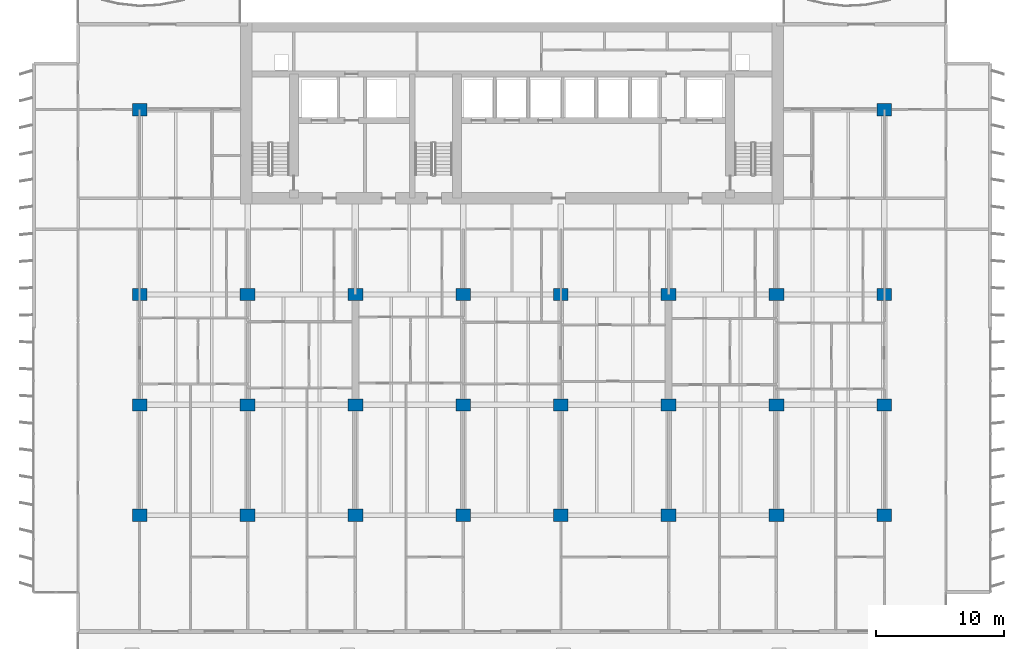
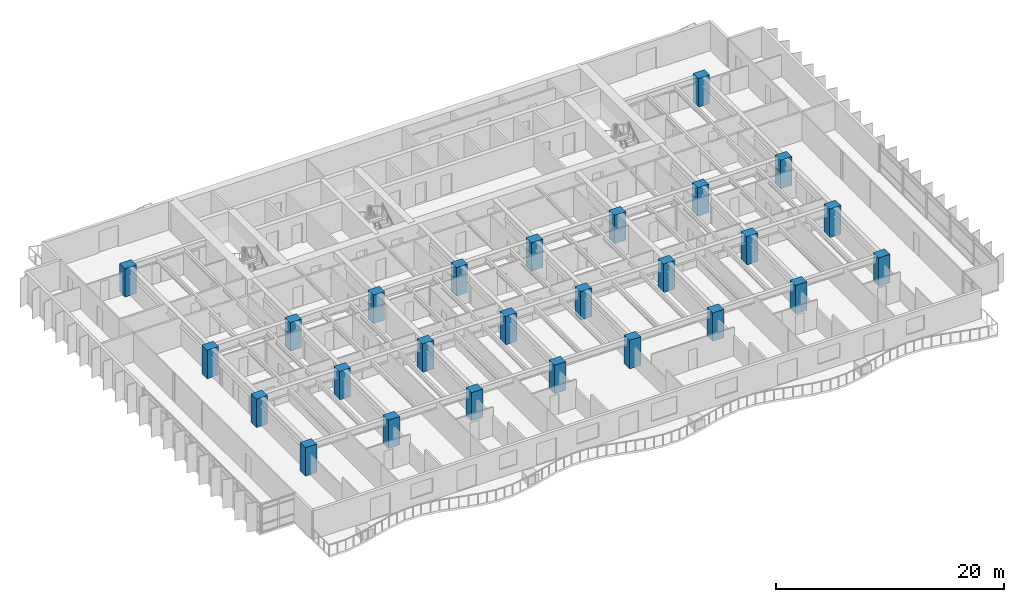
# One storey, part 1 of 18: 26 columns.
"""IFC4 building model written with IfcOpenShell, lengths in metres."""

from ifc_helpers import new_model, si_unit, direction, frame, origin, origin_2d, place, context, subcontext, project, spatial, rectangle, extrude, material, material_profile, profile_set, type_object, element, save


model = new_model("IFC4")

# Units and contexts
model_context = context("Model", 3, precision=1e-05, world=origin(), true_north=direction((0.0, 1.0)))
body_context = subcontext(model_context, "Body", "Model", "MODEL_VIEW")
ifc_project = project(units=[si_unit("LENGTHUNIT", "METRE"), si_unit("AREAUNIT", "SQUARE_METRE"), si_unit("VOLUMEUNIT", "CUBIC_METRE"), si_unit("PLANEANGLEUNIT", "RADIAN"), si_unit("MASSUNIT", "GRAM", prefix="KILO")], contexts=[model_context])

# Site, building, storey
site_placement = place(None, origin())
site = spatial("IfcSite", under=ifc_project, at=site_placement, CompositionType="ELEMENT")
building_placement = place(site_placement, origin())
building = spatial("IfcBuilding", under=site, at=building_placement, Name="Caelmar Bay Residences", CompositionType="ELEMENT")
storey_placement = place(building_placement, frame((0.0, 0.0, 36.60009765625)))
storey = spatial("IfcBuildingStorey", under=building, at=storey_placement, Name="L08", CompositionType="ELEMENT", Elevation=36.60009765625)

# Columns
ifc_material = material(Name="Concrete f'c 70 MPa (10,000 psi)", Category="concrete")
ifc_material_profile = material_profile(ifc_material, rectangle(XDim=1.14990234375, YDim=0.949951171875, at=origin_2d()), Name="RC-COL-1150X950")
ifc_profile_set = profile_set([ifc_material_profile], Name="Concrete f'c 70 MPa (10,000 psi)")
column_type = type_object("IfcColumnType", Name="COL-RC-1150X950", PredefinedType="COLUMN", material=ifc_profile_set)
for number, where, z_axis, x_axis, name in (
    (1, (9.89990234375, 12.199951171875, 0.0), (0.0, 0.0, 1.0), (1.0, 0.0, 0.0), "L08 Column (9.90,12.20)"),
    (2, (18.300048828125, 12.199951171875, 0.0), (0.0, 0.0, 1.0), (1.0, 0.0, 0.0), "L08 Column (18.30,12.20)"),
    (3, (26.699951171875, 12.199951171875, 0.0), (0.0, 0.0, 1.0), (1.0, 0.0, 0.0), "L08 Column (26.70,12.20)"),
    (4, (35.10009765625, 12.199951171875, 0.0), (0.0, 0.0, 1.0), (1.0, 0.0, 0.0), "L08 Column (35.10,12.20)"),
    (5, (42.699951171875, 12.199951171875, 0.0), (0.0, 0.0, 1.0), (1.0, 0.0, 0.0), "L08 Column (42.70,12.20)"),
    (6, (51.10009765625, 12.199951171875, 0.0), (0.0, 0.0, 1.0), (1.0, 0.0, 0.0), "L08 Column (51.10,12.20)"),
    (7, (59.5, 12.199951171875, 0.0), (0.0, 0.0, 1.0), (1.0, 0.0, 0.0), "L08 Column (59.50,12.20)"),
    (8, (67.89990234375, 12.199951171875, 0.0), (0.0, 0.0, 1.0), (1.0, 0.0, 0.0), "L08 Column (67.90,12.20)"),
    (9, (9.89990234375, 20.800048828125, 0.0), (0.0, 0.0, 1.0), (1.0, 0.0, 0.0), "L08 Column (9.90,20.80)"),
    (10, (18.300048828125, 20.800048828125, 0.0), (0.0, 0.0, 1.0), (1.0, 0.0, 0.0), "L08 Column (18.30,20.80)"),
    (11, (26.699951171875, 20.800048828125, 0.0), (0.0, 0.0, 1.0), (1.0, 0.0, 0.0), "L08 Column (26.70,20.80)"),
    (12, (35.10009765625, 20.800048828125, 0.0), (0.0, 0.0, 1.0), (1.0, 0.0, 0.0), "L08 Column (35.10,20.80)"),
    (13, (42.699951171875, 20.800048828125, 0.0), (0.0, 0.0, 1.0), (1.0, 0.0, 0.0), "L08 Column (42.70,20.80)"),
    (14, (51.10009765625, 20.800048828125, 0.0), (0.0, 0.0, 1.0), (1.0, 0.0, 0.0), "L08 Column (51.10,20.80)"),
    (15, (59.5, 20.800048828125, 0.0), (0.0, 0.0, 1.0), (1.0, 0.0, 0.0), "L08 Column (59.50,20.80)"),
    (16, (67.89990234375, 20.800048828125, 0.0), (0.0, 0.0, 1.0), (1.0, 0.0, 0.0), "L08 Column (67.90,20.80)"),
    (17, (9.89990234375, 29.39990234375, 0.0), (0.0, 0.0, 1.0), (1.0, 0.0, 0.0), "L08 Column (9.90,29.40)"),
    (18, (18.300048828125, 29.39990234375, 0.0), (0.0, 0.0, 1.0), (1.0, 0.0, 0.0), "L08 Column (18.30,29.40)"),
    (19, (26.699951171875, 29.39990234375, 0.0), (0.0, 0.0, 1.0), (1.0, 0.0, 0.0), "L08 Column (26.70,29.40)"),
    (20, (35.10009765625, 29.39990234375, 0.0), (0.0, 0.0, 1.0), (1.0, 0.0, 0.0), "L08 Column (35.10,29.40)"),
    (21, (42.699951171875, 29.39990234375, 0.0), (0.0, 0.0, 1.0), (1.0, 0.0, 0.0), "L08 Column (42.70,29.40)"),
    (22, (51.10009765625, 29.39990234375, 0.0), (0.0, 0.0, 1.0), (1.0, 0.0, 0.0), "L08 Column (51.10,29.40)"),
    (23, (59.5, 29.39990234375, 0.0), (0.0, 0.0, 1.0), (1.0, 0.0, 0.0), "L08 Column (59.50,29.40)"),
    (24, (67.89990234375, 29.39990234375, 0.0), (0.0, 0.0, 1.0), (1.0, 0.0, 0.0), "L08 Column (67.90,29.40)"),
    (25, (9.89990234375, 43.800048828125, 0.0), (0.0, 0.0, 1.0), (1.0, 0.0, 0.0), "L08 Column (9.90,43.80)"),
    (26, (67.89990234375, 43.800048828125, 0.0), (0.0, 0.0, 1.0), (1.0, 0.0, 0.0), "L08 Column (67.90,43.80)"),
):
    element("IfcColumn", number, at=place(storey_placement, frame(where, z_axis=z_axis, x_axis=x_axis)), inside=storey, type_object=column_type, Name=name, PredefinedType="COLUMN", context=body_context, shape_type="SweptSolid", body=[
        extrude(rectangle(XDim=1.14990234375, YDim=0.949951171875, at=origin_2d()), origin(), (0.0, 0.0, 1.0), 3.0498046875),
    ])

save(model, "model.ifc")
